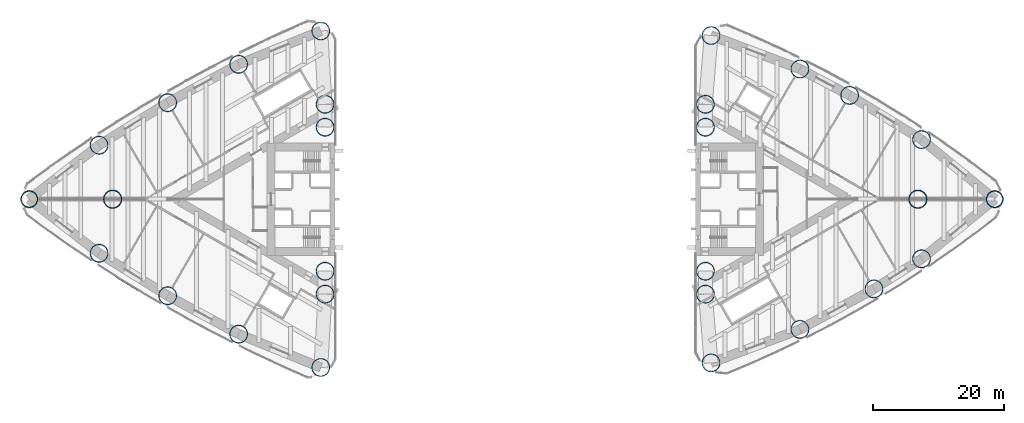
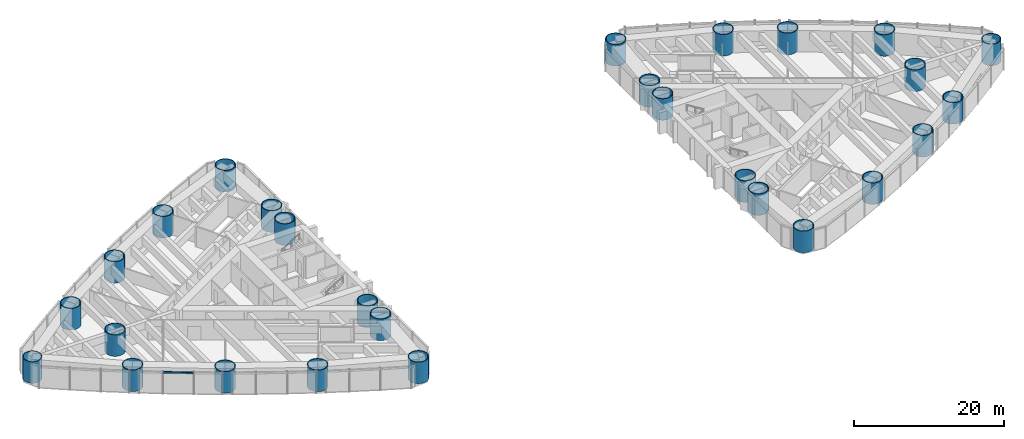
# One storey, part 1 of 20: 28 columns, 1 member, 1 element without a shape of its own.
"""IFC4 building model written with IfcOpenShell, lengths in metres."""

from ifc_helpers import new_model, si_unit, direction, frame, origin, origin_2d, place, context, subcontext, project, spatial, rectangle, hollow_circle, extrude, material, material_profile, profile_set, type_object, element, aggregate, save


model = new_model("IFC4")

# Units and contexts
model_context = context("Model", 3, precision=1e-05, world=origin(), true_north=direction((0.0, 1.0)))
body_context = subcontext(model_context, "Body", "Model", "MODEL_VIEW")
ifc_project = project(units=[si_unit("LENGTHUNIT", "METRE"), si_unit("AREAUNIT", "SQUARE_METRE"), si_unit("VOLUMEUNIT", "CUBIC_METRE"), si_unit("PLANEANGLEUNIT", "RADIAN"), si_unit("MASSUNIT", "GRAM", prefix="KILO")], contexts=[model_context])

# Site, building, storey
site_placement = place(None, origin())
site = spatial("IfcSite", under=ifc_project, at=site_placement, CompositionType="ELEMENT")
building_placement = place(site_placement, origin())
building = spatial("IfcBuilding", under=site, at=building_placement, Name="Lancet Gate Hotel", CompositionType="ELEMENT")
storey_placement = place(building_placement, frame((0.0, 0.0, 77.5)))
storey = spatial("IfcBuildingStorey", under=building, at=storey_placement, Name="L20", CompositionType="ELEMENT", Elevation=77.5)

# Columns
ifc_material_1 = material(Name="Composite filled tube, grade 460 plate, grade 80/95 fill", Category="composite")
ifc_material_profile_1 = material_profile(ifc_material_1, hollow_circle(Radius=1.39990234375, WallThickness=0.10009765625, at=origin_2d()), Name="CHS 2800x100")
ifc_profile_set_1 = profile_set([ifc_material_profile_1], Name="Composite filled tube, grade 460 plate, grade 80/95 fill")
column_type_1 = type_object("IfcColumnType", Name="Apex column CFT CHS 2800x100", PredefinedType="COLUMN", material=ifc_profile_set_1)
for number, where, z_axis, x_axis, name in (
    (1, (-61.5, 0.0, 0.0), (0.0, 0.0, 1.0), (1.0, 0.0, 0.0), "T1 column AX L20"),
    (2, (61.5, 0.0, 0.0), (0.0, 0.0, 1.0), (1.0, 0.0, 0.0), "T2 column AX L20"),
):
    element("IfcColumn", number, at=place(storey_placement, frame(where, z_axis=z_axis, x_axis=x_axis)), inside=storey, type_object=column_type_1, Name=name, PredefinedType="COLUMN", context=body_context, shape_type="SweptSolid", body=[
        extrude(hollow_circle(Radius=1.39990234375, WallThickness=0.10009765625, at=origin_2d()), origin(), (0.0, 0.0, 1.0), 3.5),
    ])
ifc_material_2 = material(Name="Composite filled tube, grade 460 plate, grade 80/95 fill", Category="composite")
ifc_material_profile_2 = material_profile(ifc_material_2, hollow_circle(Radius=1.300048828125, WallThickness=0.10009765625, at=origin_2d()), Name="CHS 2600x100")
ifc_profile_set_2 = profile_set([ifc_material_profile_2], Name="Composite filled tube, grade 460 plate, grade 80/95 fill")
column_type_2 = type_object("IfcColumnType", Name="Apex corner column CFT CHS 2600x100", PredefinedType="COLUMN", material=ifc_profile_set_2)
for number, where, z_axis, x_axis, name in (
    (3, (-74.235107421875, 0.0, 0.0), (0.0, 0.0, 1.0), (1.0, 0.0, 0.0), "T1 column CA L20"),
    (4, (73.2392578125, 0.0, 0.0), (0.0, 0.0, 1.0), (1.0, 0.0, 0.0), "T2 column CA L20"),
):
    element("IfcColumn", number, at=place(storey_placement, frame(where, z_axis=z_axis, x_axis=x_axis)), inside=storey, type_object=column_type_2, Name=name, PredefinedType="COLUMN", context=body_context, shape_type="SweptSolid", body=[
        extrude(hollow_circle(Radius=1.300048828125, WallThickness=0.10009765625, at=origin_2d()), origin(), (0.0, 0.0, 1.0), 3.5),
    ])
ifc_material_3 = material(Name="Composite filled tube, grade 460 plate, grade 80/95 fill", Category="composite")
ifc_material_profile_3 = material_profile(ifc_material_3, hollow_circle(Radius=1.39990234375, WallThickness=0.1201171875, at=origin_2d()), Name="CHS 2800x120")
ifc_profile_set_3 = profile_set([ifc_material_profile_3], Name="Composite filled tube, grade 460 plate, grade 80/95 fill")
column_type_3 = type_object("IfcColumnType", Name="Perimeter column CFT CHS 2800x120", PredefinedType="COLUMN", material=ifc_profile_set_3)
for number, where, z_axis, x_axis, name in (
    (5, (-29.703369140625, -25.70263671875, 0.0), (0.0, 0.0, 1.0), (1.0, 0.0, 0.0), "T1 column CN L20"),
    (6, (-29.703369140625, 25.70263671875, 0.0), (0.0, 0.0, 1.0), (1.0, 0.0, 0.0), "T1 column CS L20"),
    (7, (-29.050048828125, -11.0, 0.0), (0.0, 0.0, 1.0), (1.0, 0.0, 0.0), "T1 column IN L20"),
    (8, (-29.050048828125, 11.0, 0.0), (0.0, 0.0, 1.0), (1.0, 0.0, 0.0), "T1 column IS L20"),
    (9, (-29.050048828125, 14.5, 0.0), (0.0, 0.0, 1.0), (1.0, 0.0, 0.0), "T1 column IT L20"),
    (10, (-29.050048828125, -14.5, 0.0), (0.0, 0.0, 1.0), (1.0, 0.0, 0.0), "T1 column JT L20"),
    (11, (-63.57177734375, -8.255126953125, 0.0), (0.0, 0.0, 1.0), (1.0, 0.0, 0.0), "T1 column ON1 L20"),
    (12, (-53.090087890625, -14.744873046875, 0.0), (0.0, 0.0, 1.0), (1.0, 0.0, 0.0), "T1 column ON2 L20"),
    (13, (-42.2451171875, -20.607421875, 0.0), (0.0, 0.0, 1.0), (1.0, 0.0, 0.0), "T1 column ON3 L20"),
    (14, (-42.2451171875, 20.607421875, 0.0), (0.0, 0.0, 1.0), (1.0, 0.0, 0.0), "T1 column OS1 L20"),
    (15, (-53.090087890625, 14.744873046875, 0.0), (0.0, 0.0, 1.0), (1.0, 0.0, 0.0), "T1 column OS2 L20"),
    (16, (-63.57177734375, 8.255126953125, 0.0), (0.0, 0.0, 1.0), (1.0, 0.0, 0.0), "T1 column OS3 L20"),
    (17, (29.9111328125, 25.00244140625, 0.0), (0.0, 0.0, 1.0), (1.0, 0.0, 0.0), "T2 column CN L20"),
    (18, (29.9111328125, -25.00244140625, 0.0), (0.0, 0.0, 1.0), (1.0, 0.0, 0.0), "T2 column CS L20"),
    (19, (29.050048828125, 11.0, 0.0), (0.0, 0.0, 1.0), (1.0, 0.0, 0.0), "T2 column IN L20"),
    (20, (29.050048828125, -11.0, 0.0), (0.0, 0.0, 1.0), (1.0, 0.0, 0.0), "T2 column IS L20"),
    (21, (29.050048828125, -14.5, 0.0), (0.0, 0.0, 1.0), (1.0, 0.0, 0.0), "T2 column IT L20"),
    (22, (29.050048828125, 14.5, 0.0), (0.0, 0.0, 1.0), (1.0, 0.0, 0.0), "T2 column JT L20"),
    (23, (62.059326171875, 9.10498046875, 0.0), (0.0, 0.0, 1.0), (1.0, 0.0, 0.0), "T2 column ON1 L20"),
    (24, (51.07763671875, 15.8583984375, 0.0), (0.0, 0.0, 1.0), (1.0, 0.0, 0.0), "T2 column ON2 L20"),
    (25, (43.484130859375, 19.886474609375, 0.0), (0.0, 0.0, 1.0), (1.0, 0.0, 0.0), "T2 column ON3 L20"),
    (26, (43.484130859375, -19.886474609375, 0.0), (0.0, 0.0, 1.0), (1.0, 0.0, 0.0), "T2 column OS1 L20"),
    (27, (54.795166015625, -13.70068359375, 0.0), (0.0, 0.0, 1.0), (1.0, 0.0, 0.0), "T2 column OS2 L20"),
    (28, (62.059326171875, -9.10498046875, 0.0), (0.0, 0.0, 1.0), (1.0, 0.0, 0.0), "T2 column OS3 L20"),
):
    element("IfcColumn", number, at=place(storey_placement, frame(where, z_axis=z_axis, x_axis=x_axis)), inside=storey, type_object=column_type_3, Name=name, PredefinedType="COLUMN", context=body_context, shape_type="SweptSolid", body=[
        extrude(hollow_circle(Radius=1.39990234375, WallThickness=0.1201171875, at=origin_2d()), origin(), (0.0, 0.0, 1.0), 3.5),
    ])

# Curtain wall, member
ifc_material_4 = material(Name="Aluminium curtain wall", Category="aluminium")
curtain_wall_type = type_object("IfcCurtainWallType", Name="Tower unitised curtain wall", PredefinedType="USERDEFINED", material=ifc_material_4)
curtain_wall_placement = place(storey_placement, origin())
curtain_wall = element("IfcCurtainWall", 29, at=curtain_wall_placement, inside=storey, type_object=curtain_wall_type, Name="T1 L20 curtain wall 7", ObjectType="UNITISED CURTAIN WALL", PredefinedType="USERDEFINED")
ifc_material_5 = material(Name="Aluminium transom", Category="aluminium")
ifc_material_profile_4 = material_profile(ifc_material_5, rectangle(XDim=0.25, YDim=0.14990234375, at=origin_2d()), Name="TRANSOM 250x150")
ifc_profile_set_4 = profile_set([ifc_material_profile_4], Name="Aluminium transom")
member_type = type_object("IfcMemberType", Name="Aluminium transom 250x150", PredefinedType="USERDEFINED", material=ifc_profile_set_4)
member_placement = place(storey_placement, frame((-60.921875, -11.813720703125, 3.425048828125), z_axis=(0.850242165643, -0.526391736032, 0.0), x_axis=(0.526391736032, 0.850242165643, 0.0)))
member = element("IfcMember", 30, at=member_placement, type_object=member_type, Name="T1 L20 curtain wall 7 transom 2", ObjectType="TRANSOM", PredefinedType="USERDEFINED", context=body_context, shape_type="SweptSolid", body=[
    extrude(rectangle(XDim=0.25, YDim=0.14990234375, at=origin_2d()), origin(), (0.0, 0.0, 1.0), 4.075439453125),
])
aggregate(curtain_wall, [member])

save(model, "model.ifc")
